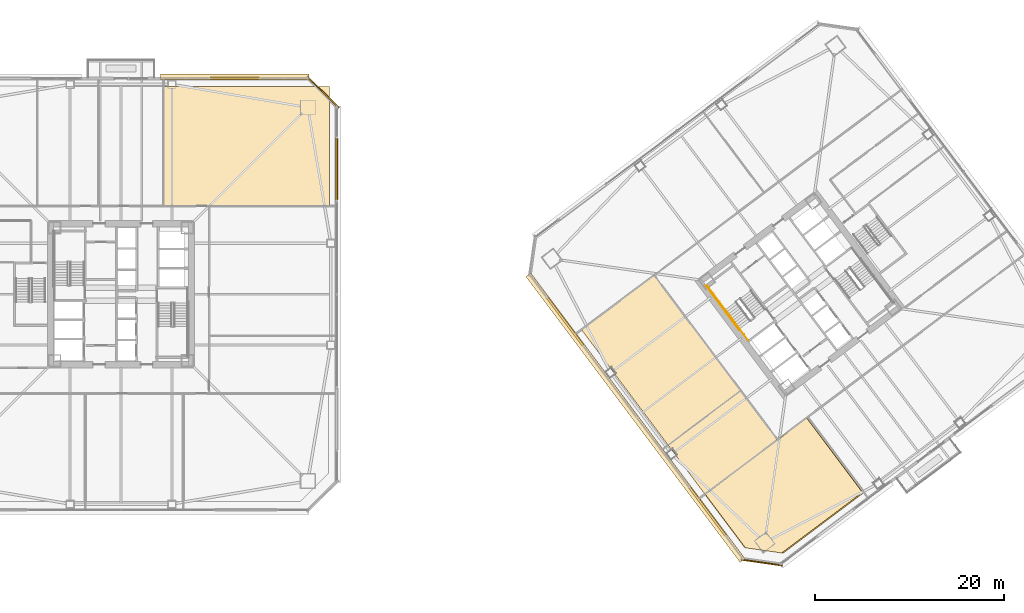
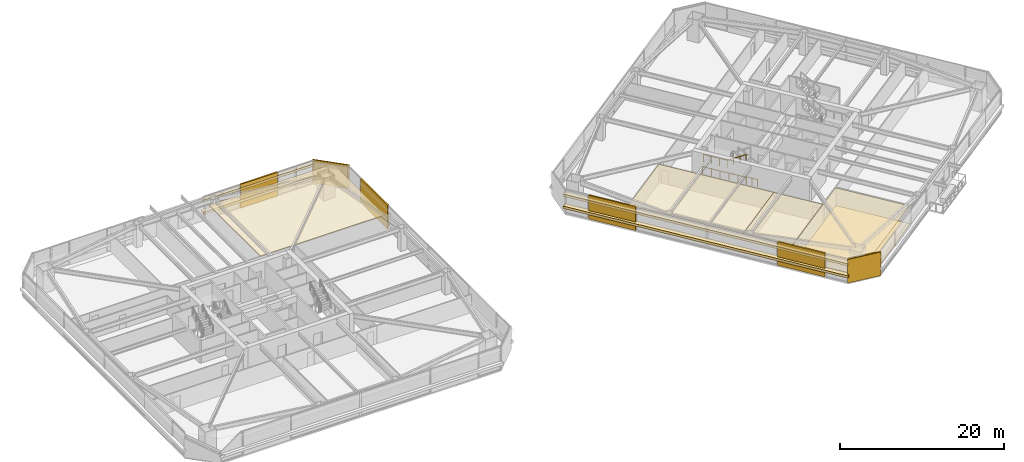
# One storey, part 48 of 51: 15 coverings, 4 railings.
"""IFC4 building model written with IfcOpenShell, lengths in metres."""

from ifc_helpers import new_model, si_unit, direction, frame, origin, origin_2d, place, context, subcontext, project, spatial, polyline, rectangle, outline, extrude, material, layer, layer_set, type_object, element, save


model = new_model("IFC4")

# Units and contexts
model_context = context("Model", 3, precision=1e-05, world=origin(), true_north=direction((0.0, 1.0)))
body_context = subcontext(model_context, "Body", "Model", "MODEL_VIEW")
ifc_project = project(units=[si_unit("LENGTHUNIT", "METRE"), si_unit("AREAUNIT", "SQUARE_METRE"), si_unit("VOLUMEUNIT", "CUBIC_METRE"), si_unit("PLANEANGLEUNIT", "RADIAN"), si_unit("MASSUNIT", "GRAM", prefix="KILO")], contexts=[model_context])

# Site, building, storey
site_placement = place(None, origin())
site = spatial("IfcSite", under=ifc_project, at=site_placement, CompositionType="ELEMENT")
building_placement = place(site_placement, origin())
building = spatial("IfcBuilding", under=site, at=building_placement, Name="Tashvorn Skyway Center", CompositionType="ELEMENT")
storey_placement = place(building_placement, frame((0.0, 0.0, 49.449951171875)))
storey = spatial("IfcBuildingStorey", under=building, at=storey_placement, Name="L12", CompositionType="ELEMENT", Elevation=49.449951171875)

# Coverings
ifc_material_1 = material(Name="Precast concrete C40/50", Category="concrete")
ifc_layer_1 = layer(ifc_material_1, 0.199951171875)
ifc_layer_set_1 = layer_set([ifc_layer_1], Name="Precast concrete C40/50")
covering_type_1 = type_object("IfcCoveringType", Name="COV-BRACE-CLAD", PredefinedType="CLADDING", material=ifc_layer_set_1)
covering_1_placement = place(storey_placement, frame((54.06494140625, 54.8798828125, 0.0), z_axis=(0.0, 0.0, 1.0), x_axis=(1.0, 0.0, 0.0)))
element("IfcCovering", 1, at=covering_1_placement, inside=storey, type_object=covering_type_1, Name="Tower 1 L12 North Curtain Wall R Mega-Brace Cladding Band 1", PredefinedType="CLADDING", context=body_context, shape_type="SweptSolid", body=[
    extrude(rectangle(XDim=5.2099609375, YDim=0.199951171875, at=origin_2d()), origin(), (0.0, 0.0, 1.0), 3.550048828125),
])
covering_2_placement = place(storey_placement, frame((64.8798828125, 45.25341796875, 0.0), z_axis=(0.0, 0.0, 1.0), x_axis=(0.0, -1.0, 0.0)))
element("IfcCovering", 2, at=covering_2_placement, inside=storey, type_object=covering_type_1, Name="Tower 1 L12 East Unitised Curtain Wall Mega-Brace Cladding Band 1", PredefinedType="CLADDING", context=body_context, shape_type="SweptSolid", body=[
    extrude(rectangle(XDim=6.626708984375, YDim=0.199951171875, at=origin_2d()), origin(), (0.0, 0.0, 1.0), 3.550048828125),
])
for number, where, z_axis, x_axis, name in (
    (3, (104.2080078125, 8.922607421875, 0.0), (0.0, 0.0, 1.0), (-0.600000004945, 0.799999996291, 0.0), "Tower 2 L12 West Unitised Curtain Wall Mega-Brace Cladding Band 1"),
    (4, (89.10400390625, 29.061279296875, 0.0), (0.0, 0.0, 1.0), (-0.600000004945, 0.799999996291, 0.0), "Tower 2 L12 West Unitised Curtain Wall Mega-Brace Cladding Band 2"),
):
    element("IfcCovering", number, at=place(storey_placement, frame(where, z_axis=z_axis, x_axis=x_axis)), inside=storey, type_object=covering_type_1, Name=name, PredefinedType="CLADDING", context=body_context, shape_type="SweptSolid", body=[
        extrude(rectangle(XDim=6.29345703125, YDim=0.199951171875, at=origin_2d()), origin(), (0.0, 0.0, 1.0), 3.550048828125),
    ])
ifc_material_2 = material(Name="Mineral-fibre acoustic ceiling tile on suspended grid")
ifc_layer_2 = layer(ifc_material_2, 0.02001953125)
ifc_layer_set_2 = layer_set([ifc_layer_2], Name="Mineral-fibre acoustic ceiling tile on suspended grid")
covering_type_2 = type_object("IfcCoveringType", Name="COV-CEIL-20", PredefinedType="CEILING", material=ifc_layer_set_2)
covering_3_placement = place(storey_placement, frame((0.0, 0.0, 2.68310546875)))
element("IfcCovering", 5, at=covering_3_placement, inside=storey, type_object=covering_type_2, Name="Tower 1 L12 Gallery Showroom Acoustic Ceiling", PredefinedType="CEILING", context=body_context, shape_type="SweptSolid", body=[
    extrude(outline(polyline([(46.5, 41.35009765625), (64.10009765625, 41.35009765625), (64.10009765625, 54.0), (46.5, 54.0), (46.5, 41.35009765625)])), origin(), (0.0, 0.0, 1.0), 0.02001953125),
])
covering_4_placement = place(storey_placement, frame((0.0, 0.0, 2.68310546875)))
element("IfcCovering", 6, at=covering_4_placement, inside=storey, type_object=covering_type_2, Name="Tower 2 L12 Wellness Clinic Acoustic Ceiling", PredefinedType="CEILING", context=body_context, shape_type="SweptSolid", body=[
    extrude(outline(polyline([(103.93994140625, 10.780029296875), (114.7080078125, 18.85595703125), (120.612060546875, 10.98388671875), (112.052001953125, 4.56396484375), (108.18798828125, 5.115966796875), (103.93994140625, 10.780029296875)])), origin(), (0.0, 0.0, 1.0), 0.02001953125),
])
covering_5_placement = place(storey_placement, frame((0.0, 0.0, 2.68310546875)))
element("IfcCovering", 7, at=covering_5_placement, inside=storey, type_object=covering_type_2, Name="Tower 2 L12 Corporate Office Acoustic Ceiling", PredefinedType="CEILING", context=body_context, shape_type="SweptSolid", body=[
    extrude(outline(polyline([(103.89990234375, 10.800048828125), (111.595947265625, 16.572021484375), (107.696044921875, 21.77197265625), (100.0, 16.0), (103.89990234375, 10.800048828125)])), origin(), (0.0, 0.0, 1.0), 0.02001953125),
])
covering_6_placement = place(storey_placement, frame((0.0, 0.0, 2.68310546875)))
element("IfcCovering", 8, at=covering_6_placement, inside=storey, type_object=covering_type_2, Name="Tower 2 L12 Wellness Clinic Acoustic Ceiling", PredefinedType="CEILING", context=body_context, shape_type="SweptSolid", body=[
    extrude(outline(polyline([(100.0, 16.0), (107.696044921875, 21.77197265625), (98.51611328125, 34.011962890625), (90.820068359375, 28.239990234375), (100.0, 16.0)])), origin(), (0.0, 0.0, 1.0), 0.02001953125),
])
ifc_material_3 = material(Name="Polished Mojave desert-aggregate terrazzo and cover plate")
ifc_layer_3 = layer(ifc_material_3, 0.0400390625)
ifc_layer_set_3 = layer_set([ifc_layer_3], Name="Polished Mojave desert-aggregate terrazzo and cover plate")
covering_type_3 = type_object("IfcCoveringType", Name="COV-FLR-40", PredefinedType="FLOORING", material=ifc_layer_set_3)
covering_7_placement = place(storey_placement, origin())
element("IfcCovering", 9, at=covering_7_placement, inside=storey, type_object=covering_type_3, Name="Tower 2 L12 Wellness Clinic Finish Flooring", PredefinedType="FLOORING", context=body_context, shape_type="SweptSolid", body=[
    extrude(outline(polyline([(112.219970703125, 4.5400390625), (108.132080078125, 5.1240234375), (103.931884765625, 10.72412109375), (114.763916015625, 18.847900390625), (120.716064453125, 10.912109375), (112.219970703125, 4.5400390625)])), origin(), (0.0, 0.0, 1.0), 0.0400390625),
])
ifc_material_4 = material(Name="Perforated ceramic-coated bronze aluminium solar screen", Category="aluminium")
ifc_layer_4 = layer(ifc_material_4, 0.85009765625)
ifc_layer_set_4 = layer_set([ifc_layer_4], Name="Perforated ceramic-coated bronze aluminium solar screen")
covering_type_4 = type_object("IfcCoveringType", Name="COV-SOLAR-BAND", PredefinedType="CLADDING", material=ifc_layer_set_4)
for number, where, z_axis, x_axis, name in (
    (10, (54.06494140625, 55.02001953125, 0.919921875), (0.0, 0.0, 1.0), (1.0, 0.0, 0.0), "L12 Perforated Ceramic-Metal Solar Screen Louvre Band North 1"),
    (11, (54.06494140625, 55.02001953125, 2.72021484375), (0.0, 0.0, 1.0), (1.0, 0.0, 0.0), "L12 Perforated Ceramic-Metal Solar Screen Louvre Band North 2"),
):
    element("IfcCovering", number, at=place(storey_placement, frame(where, z_axis=z_axis, x_axis=x_axis)), inside=storey, type_object=covering_type_4, Name=name, PredefinedType="CLADDING", context=body_context, shape_type="SweptSolid", body=[
        extrude(rectangle(XDim=15.75, YDim=0.639892578125, at=origin_2d()), origin(), (0.0, 0.0, 1.0), 0.360107421875),
    ])
for number, where, z_axis, x_axis, name in (
    (12, (96.5439453125, 18.907958984375, 0.919921875), (0.0, 0.0, 1.0), (-0.600000004945, 0.799999996291, 0.0), "L12 Perforated Ceramic-Metal Solar Screen Louvre Band West 1"),
    (13, (96.5439453125, 18.907958984375, 2.72021484375), (0.0, 0.0, 1.0), (-0.600000004945, 0.799999996291, 0.0), "L12 Perforated Ceramic-Metal Solar Screen Louvre Band West 2"),
):
    element("IfcCovering", number, at=place(storey_placement, frame(where, z_axis=z_axis, x_axis=x_axis)), inside=storey, type_object=covering_type_4, Name=name, PredefinedType="CLADDING", context=body_context, shape_type="SweptSolid", body=[
        extrude(rectangle(XDim=37.8798828125, YDim=0.639892578125, at=origin_2d()), origin(), (0.0, 0.0, 1.0), 0.360107421875),
    ])
ifc_layer_5 = layer(ifc_material_1, 0.35009765625)
ifc_layer_set_5 = layer_set([ifc_layer_5], Name="Precast concrete C40/50")
covering_type_5 = type_object("IfcCoveringType", Name="COV-STONE-TRIM", PredefinedType="CLADDING", material=ifc_layer_set_5)
covering_8_placement = place(storey_placement, frame((63.419921875, 53.419921875, 0.02001953125), z_axis=(0.0, 0.0, 1.0), x_axis=(0.707106781187, -0.707106781187, 0.0)))
element("IfcCovering", 14, at=covering_8_placement, inside=storey, type_object=covering_type_5, Name="Tower 1 L12 NE Mojave Limestone Corner Quoin", PredefinedType="CLADDING", context=body_context, shape_type="SweptSolid", body=[
    extrude(rectangle(XDim=4.685546875, YDim=0.139892578125, at=origin_2d()), origin(), (0.0, 0.0, 1.0), 3.510009765625),
])
covering_9_placement = place(storey_placement, frame((109.93603515625, 3.552001953125, 0.02001953125), z_axis=(0.0, 0.0, 1.0), x_axis=(-0.989949494535, 0.141421350118, 0.0)))
element("IfcCovering", 15, at=covering_9_placement, inside=storey, type_object=covering_type_5, Name="Tower 2 L12 SW Mojave Limestone Corner Quoin", PredefinedType="CLADDING", context=body_context, shape_type="SweptSolid", body=[
    extrude(rectangle(XDim=4.402587890625, YDim=0.139892578125, at=origin_2d()), origin(), (0.0, 0.0, 1.0), 3.510009765625),
])

# Railings
ifc_material_5 = material(Name="Brushed stainless steel 316", Category="steel")
railing_type_1 = type_object("IfcRailingType", Name="RAIL-HAND-920", PredefinedType="HANDRAIL", material=ifc_material_5)
railing_1_placement = place(storey_placement, frame((106.072021484375, 30.35400390625, 1.95263671875)))
element("IfcRailing", 16, at=railing_1_placement, inside=storey, type_object=railing_type_1, Name="L12 ST-T2-1 stair handrail 2", PredefinedType="HANDRAIL", context=body_context, shape_type="SweptSolid", body=[
    extrude(rectangle(XDim=0.048095703125, YDim=0.048095703125, at=origin_2d()), frame((0.0, 0.0, 0.8759765625), z_axis=(0.506740800098, -0.675708949977, 0.535379469569), x_axis=(0.800023250257, 0.599968998406, 0.0)), (0.0, 0.0, 1.0), 2.983642578125),
    extrude(rectangle(XDim=0.0419921875, YDim=0.0419921875, at=origin_2d()), origin(), (0.0, 0.0, 1.0), 0.851806640625),
    extrude(rectangle(XDim=0.0419921875, YDim=0.0419921875, at=origin_2d()), frame((0.50390625, -0.672119140625, 0.532470703125)), (0.0, 0.0, 1.0), 0.851806640625),
    extrude(rectangle(XDim=0.0419921875, YDim=0.0419921875, at=origin_2d()), frame((1.008056640625, -1.343994140625, 1.06494140625)), (0.0, 0.0, 1.0), 0.851806640625),
    extrude(rectangle(XDim=0.0419921875, YDim=0.0419921875, at=origin_2d()), frame((1.511962890625, -2.01611328125, 1.597412109375)), (0.0, 0.0, 1.0), 0.851806640625),
])
ifc_material_6 = material(Name="Painted galvanized steel S355", Category="steel")
railing_type_2 = type_object("IfcRailingType", Name="RAIL-STGUARD-1100", PredefinedType="GUARDRAIL", material=ifc_material_6)
railing_2_placement = place(storey_placement, frame((106.072021484375, 30.35400390625, 1.775146484375)))
element("IfcRailing", 17, at=railing_2_placement, inside=storey, type_object=railing_type_2, Name="L12 ST-T2-1 stair guard 3", PredefinedType="GUARDRAIL", context=body_context, shape_type="SweptSolid", body=[
    extrude(rectangle(XDim=0.048095703125, YDim=0.048095703125, at=origin_2d()), frame((0.0, 0.0, 1.076171875), z_axis=(-0.599987638607, 0.800009270896, 0.0), x_axis=(-0.800009270896, -0.599987638607, 0.0)), (0.0, 0.0, 1.0), 3.16015625),
    extrude(rectangle(XDim=0.0419921875, YDim=0.0419921875, at=origin_2d()), origin(), (0.0, 0.0, 1.0), 1.052001953125),
    extrude(rectangle(XDim=0.0419921875, YDim=0.0419921875, at=origin_2d()), frame((-0.632080078125, 0.8427734375, 0.0)), (0.0, 0.0, 1.0), 1.052001953125),
    extrude(rectangle(XDim=0.0419921875, YDim=0.0419921875, at=origin_2d()), frame((-1.263916015625, 1.685302734375, 0.0)), (0.0, 0.0, 1.0), 1.052001953125),
    extrude(rectangle(XDim=0.0419921875, YDim=0.0419921875, at=origin_2d()), frame((-1.89599609375, 2.528076171875, 0.0)), (0.0, 0.0, 1.0), 1.052001953125),
])
railing_3_placement = place(storey_placement, frame((108.49609375, 27.1220703125, 0.0)))
element("IfcRailing", 18, at=railing_3_placement, inside=storey, type_object=railing_type_2, Name="L12 ST-T2-1 stair guard 6", PredefinedType="GUARDRAIL", context=body_context, shape_type="SweptSolid", body=[
    extrude(rectangle(XDim=0.048095703125, YDim=0.048095703125, at=origin_2d()), frame((0.0, 0.0, 1.076171875), z_axis=(-0.600102796382, 0.799922892393, 0.0), x_axis=(-0.799922892393, -0.600102796382, 0.0)), (0.0, 0.0, 1.0), 1.52001953125),
    extrude(rectangle(XDim=0.0419921875, YDim=0.0419921875, at=origin_2d()), origin(), (0.0, 0.0, 1.0), 1.052001953125),
    extrude(rectangle(XDim=0.0419921875, YDim=0.0419921875, at=origin_2d()), frame((-0.4560546875, 0.60791015625, 0.0)), (0.0, 0.0, 1.0), 1.052001953125),
    extrude(rectangle(XDim=0.0419921875, YDim=0.0419921875, at=origin_2d()), frame((-0.912109375, 1.2158203125, 0.0)), (0.0, 0.0, 1.0), 1.052001953125),
])
railing_4_placement = place(storey_placement, frame((107.56396484375, 28.197998046875, 0.0)))
element("IfcRailing", 19, at=railing_4_placement, inside=storey, type_object=railing_type_2, Name="L12 ST-T2-1 stair guard 7", PredefinedType="GUARDRAIL", context=body_context, shape_type="SweptSolid", body=[
    extrude(rectangle(XDim=0.048095703125, YDim=0.048095703125, at=origin_2d()), frame((0.0, 0.0, 1.076171875), z_axis=(-0.6, 0.8, 0.0), x_axis=(-0.8, -0.6, 0.0)), (0.0, 0.0, 1.0), 5.880126953125),
    extrude(rectangle(XDim=0.0419921875, YDim=0.0419921875, at=origin_2d()), origin(), (0.0, 0.0, 1.0), 1.052001953125),
    extrude(rectangle(XDim=0.0419921875, YDim=0.0419921875, at=origin_2d()), frame((-0.70556640625, 0.94091796875, 0.0)), (0.0, 0.0, 1.0), 1.052001953125),
    extrude(rectangle(XDim=0.0419921875, YDim=0.0419921875, at=origin_2d()), frame((-1.4111328125, 1.881591796875, 0.0)), (0.0, 0.0, 1.0), 1.052001953125),
    extrude(rectangle(XDim=0.0419921875, YDim=0.0419921875, at=origin_2d()), frame((-2.116943359375, 2.822509765625, 0.0)), (0.0, 0.0, 1.0), 1.052001953125),
    extrude(rectangle(XDim=0.0419921875, YDim=0.0419921875, at=origin_2d()), frame((-2.822509765625, 3.76318359375, 0.0)), (0.0, 0.0, 1.0), 1.052001953125),
    extrude(rectangle(XDim=0.0419921875, YDim=0.0419921875, at=origin_2d()), frame((-3.528076171875, 4.7041015625, 0.0)), (0.0, 0.0, 1.0), 1.052001953125),
])

save(model, "model.ifc")
